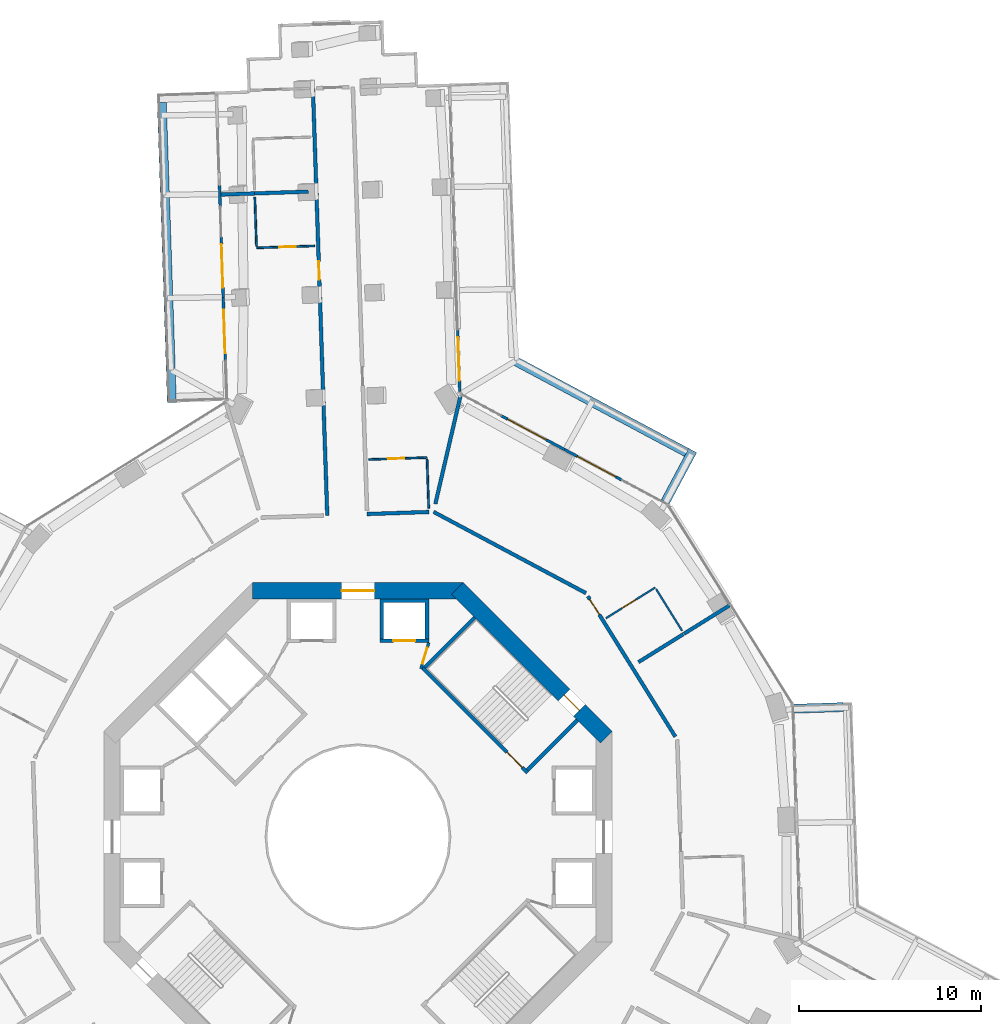
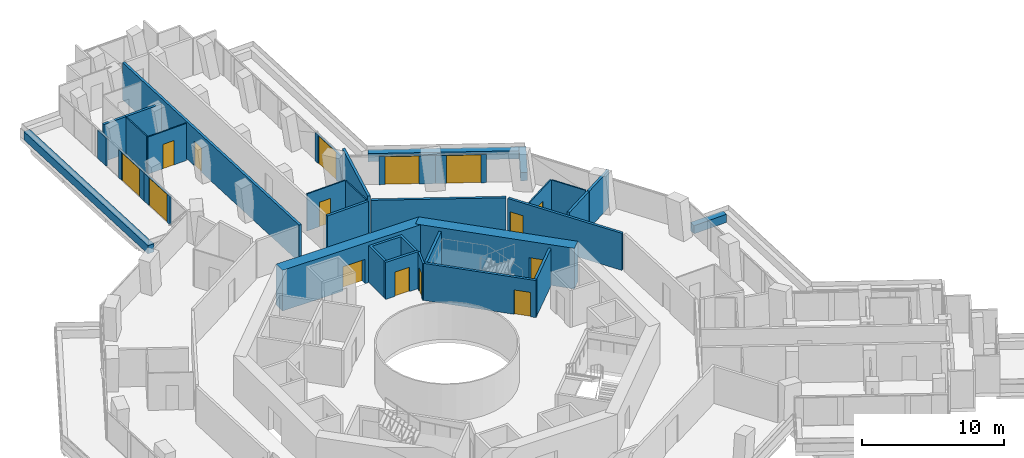
# One storey, part 22 of 27: 33 walls, 15 doors, 15 openings.
"""IFC4 building model written with IfcOpenShell, lengths in metres."""

import ifcopenshell
import ifcopenshell.guid

model = None  # the IFC model being written
_history = None  # IfcOwnerHistory: only IFC2X3 demands one
_inside = {}  # id of a spatial element -> (the spatial element, [elements in it])
_under = {}  # id of a project, library or spatial element -> (it, [spatial elements below it])
_declared = {}  # id of a project -> (the project, [libraries it declares])
_typed = {}  # id of a type object -> (the type object, [elements of that type])
_made_of = {}  # id of a material, layer set ... -> (it, [elements and type objects made of it])


def new_model(schema):
    """Start an empty IFC model of exactly this schema.

    Asked for "IFC4X3", IfcOpenShell would pick the latest addendum, in which some entities
    have other attributes; the version numbers below select the first issue.
    IFC2X3 requires an IfcOwnerHistory on every rooted entity: one is made here for all.
    """
    global model, _history
    if schema == "IFC4X3":
        model = ifcopenshell.file(schema_version=(4, 3, 0, 0))
    else:
        model = ifcopenshell.file(schema=schema)
    _inside.clear()
    _under.clear()
    _declared.clear()
    _typed.clear()
    _made_of.clear()
    _history = None
    if model.schema == "IFC2X3":
        org = make("IfcOrganization", Name="unknown")
        user = make(
            "IfcPersonAndOrganization",
            ThePerson=make("IfcPerson", FamilyName="unknown"),
            TheOrganization=org,
        )
        app = make(
            "IfcApplication",
            ApplicationDeveloper=org,
            Version="unknown",
            ApplicationFullName="unknown",
            ApplicationIdentifier="unknown",
        )
        _history = make(
            "IfcOwnerHistory",
            OwningUser=user,
            OwningApplication=app,
            ChangeAction="ADDED",
            CreationDate=0,
        )
    return model


def make(cls, **values):
    """One entity of the class cls with the attributes given. An attribute that is None is left unset."""
    return model.create_entity(
        cls, **{name: value for name, value in values.items() if value is not None}
    )


def rooted(cls, **values):
    """An entity with a GlobalId (a new one), such as an element, a storey or a relation."""
    return make(cls, GlobalId=ifcopenshell.guid.new(), OwnerHistory=_history, **values)


def si_unit(unit_type, name, prefix=None):
    """IfcSIUnit, for example si_unit("LENGTHUNIT", "METRE", prefix="MILLI")."""
    return make("IfcSIUnit", UnitType=unit_type, Prefix=prefix, Name=name)


def assignment(units):
    """IfcUnitAssignment: the units of a project."""
    return None if units is None else make("IfcUnitAssignment", Units=units)


def point(xyz):
    """IfcCartesianPoint."""
    return None if xyz is None else make("IfcCartesianPoint", Coordinates=xyz)


def direction(xyz):
    """IfcDirection."""
    return None if xyz is None else make("IfcDirection", DirectionRatios=xyz)


def frame(location, z_axis=None, x_axis=None):
    """IfcAxis2Placement3D, a coordinate frame: its origin and axes. An axis left out is left unset."""
    return make(
        "IfcAxis2Placement3D",
        Location=point(location),
        Axis=direction(z_axis),
        RefDirection=direction(x_axis),
    )


def frame_2d(location, x_axis=None):
    """IfcAxis2Placement2D, a coordinate frame in the plane: its origin and x axis."""
    return make(
        "IfcAxis2Placement2D", Location=point(location), RefDirection=direction(x_axis)
    )


def origin():
    """The frame at (0, 0, 0) with its axes left unset."""
    return frame((0.0, 0.0, 0.0))


def place(relative_to, where):
    """IfcLocalPlacement: puts the frame where relative to a parent placement (None: the world)."""
    return make(
        "IfcLocalPlacement", PlacementRelTo=relative_to, RelativePlacement=where
    )


def context(
    kind, dimensions, precision=None, world=None, true_north=None, identifier=None
):
    """IfcGeometricRepresentationContext, for example the 3D "Model" context."""
    return make(
        "IfcGeometricRepresentationContext",
        ContextIdentifier=identifier,
        ContextType=kind,
        CoordinateSpaceDimension=dimensions,
        Precision=precision,
        WorldCoordinateSystem=world,
        TrueNorth=true_north,
    )


def subcontext(parent, identifier, kind, view, scale=None):
    """IfcGeometricRepresentationSubContext, for example "Body" below "Model"."""
    return make(
        "IfcGeometricRepresentationSubContext",
        ContextIdentifier=identifier,
        ContextType=kind,
        ParentContext=parent,
        TargetScale=scale,
        TargetView=view,
    )


def project(units=None, contexts=None):
    """IfcProject with its units and contexts."""
    return rooted(
        "IfcProject",
        Name="project",
        RepresentationContexts=contexts,
        UnitsInContext=assignment(units),
    )


def spatial(cls, under=None, at=None, **own):
    """A site, building, storey or space (cls), placed at a placement, below another one or the project."""
    s = rooted(cls, ObjectPlacement=at, **own)
    if under is not None:
        _under.setdefault(under.id(), (under, []))[1].append(s)
    return s


def polyline(points):
    """IfcPolyline through the points."""
    return make("IfcPolyline", Points=[point(p) for p in points])


def profile(cls, at=None, kind="AREA", **sizes):
    """A parametric profile (cls). Its sizes go by their IFC names, for example OverallWidth=200.0."""
    return make(cls, ProfileType=kind, Position=at, **sizes)


def rectangle(**sizes):
    """IfcRectangleProfileDef."""
    return profile("IfcRectangleProfileDef", **sizes)


def outline(outer, holes=None, kind="AREA"):
    """IfcArbitraryClosedProfileDef: a profile drawn as a closed curve; with holes, ...WithVoids."""
    if holes is None:
        return make("IfcArbitraryClosedProfileDef", ProfileType=kind, OuterCurve=outer)
    return make(
        "IfcArbitraryProfileDefWithVoids",
        ProfileType=kind,
        OuterCurve=outer,
        InnerCurves=holes,
    )


def extrude(swept, where, along, depth):
    """IfcExtrudedAreaSolid: the profile swept, set in the frame where, extruded along a direction by depth."""
    return make(
        "IfcExtrudedAreaSolid",
        SweptArea=swept,
        Position=where,
        ExtrudedDirection=direction(along),
        Depth=depth,
    )


def shape(context_of_items, identifier, shape_type, items):
    """IfcShapeRepresentation: the items that make up one representation, for example the "Body"."""
    return make(
        "IfcShapeRepresentation",
        ContextOfItems=context_of_items,
        RepresentationIdentifier=identifier,
        RepresentationType=shape_type,
        Items=items,
    )


def material(Name=None, Category=None):
    """IfcMaterial."""
    return make("IfcMaterial", Name=Name, Category=Category)


def layer(
    of_material, thickness, ventilated=None, Name=None, Category=None, Priority=None
):
    """IfcMaterialLayer: one layer of a wall or slab, of a material (None: an air gap)."""
    return make(
        "IfcMaterialLayer",
        Material=of_material,
        LayerThickness=thickness,
        IsVentilated=ventilated,
        Name=Name,
        Category=Category,
        Priority=Priority,
    )


def layer_set(layers, Name=None):
    """IfcMaterialLayerSet."""
    return make("IfcMaterialLayerSet", MaterialLayers=layers, LayerSetName=Name)


def made_of(thing, what):
    """Note that an element or type object is made of a material, layer set ...; save() writes the relation."""
    if what is not None:
        _made_of.setdefault(what.id(), (what, []))[1].append(thing)
    return thing


def type_object(cls, material=None, **own):
    """A type object (cls), such as IfcWallType, which elements share."""
    return made_of(rooted(cls, **own), material)


def element(
    cls,
    number,
    at=None,
    inside=None,
    cuts=None,
    type_object=None,
    material=None,
    context=None,
    identifier="Body",
    shape_type=None,
    held_by="IfcProductDefinitionShape",
    body=None,
    shapes=None,
    **own,
):
    """One element of the class cls, such as IfcWall. Its Tag is "e" and its number.

    at: its placement. inside: the storey or other place that contains it. cuts: it is an
    opening in that element (IfcRelVoidsElement). A single representation is given by context,
    identifier, shape_type and body (its items); several are given by shapes. held_by: the class
    of the entity that holds the representations. save() writes the other relations.
    """
    e = rooted(cls, Tag="e%d" % number, ObjectPlacement=at, **own)
    if body is not None:
        shapes = [shape(context, identifier, shape_type, body)]
    if shapes is not None:
        e.Representation = make(held_by, Representations=shapes)
    if inside is not None:
        _inside.setdefault(inside.id(), (inside, []))[1].append(e)
    if cuts is not None:
        rooted(
            "IfcRelVoidsElement", RelatingBuildingElement=cuts, RelatedOpeningElement=e
        )
    if type_object is not None:
        _typed.setdefault(type_object.id(), (type_object, []))[1].append(e)
    return made_of(e, material)


def fill(opening, filler):
    """IfcRelFillsElement: the door or window that sits in an opening."""
    return rooted(
        "IfcRelFillsElement",
        RelatingOpeningElement=opening,
        RelatedBuildingElement=filler,
    )


def aggregate(whole, parts):
    """IfcRelAggregates: a whole, such as a stair, and the parts it consists of."""
    return rooted("IfcRelAggregates", RelatingObject=whole, RelatedObjects=parts)


def save(model, path):
    """Write the relations noted so far, then the file.

    IfcRelAggregates (storeys below a building ...), IfcRelContainedInSpatialStructure (elements
    in a storey), IfcRelDefinesByType, IfcRelAssociatesMaterial and IfcRelDeclares: one each for
    every whole, place, type object, material and project.
    """
    for whole, parts in _under.values():
        aggregate(whole, parts)
    for where, things in _inside.values():
        rooted(
            "IfcRelContainedInSpatialStructure",
            RelatedElements=things,
            RelatingStructure=where,
        )
    for kind, things in _typed.values():
        rooted("IfcRelDefinesByType", RelatedObjects=things, RelatingType=kind)
    for what, things in _made_of.values():
        rooted("IfcRelAssociatesMaterial", RelatedObjects=things, RelatingMaterial=what)
    for by, libraries in _declared.values():
        rooted("IfcRelDeclares", RelatingContext=by, RelatedDefinitions=libraries)
    model.write(path)


model = new_model("IFC4")

# Units and contexts
model_context = context("Model", 3, precision=1e-05, world=origin(), true_north=direction((0.0, 1.0)))
body_context = subcontext(model_context, "Body", "Model", "MODEL_VIEW")
ifc_project = project(units=[si_unit("LENGTHUNIT", "METRE"), si_unit("AREAUNIT", "SQUARE_METRE"), si_unit("VOLUMEUNIT", "CUBIC_METRE"), si_unit("PLANEANGLEUNIT", "RADIAN"), si_unit("MASSUNIT", "GRAM", prefix="KILO")], contexts=[model_context])

# Site, building, storey
site_placement = place(None, origin())
site = spatial("IfcSite", under=ifc_project, at=site_placement, CompositionType="ELEMENT")
building_placement = place(site_placement, origin())
building = spatial("IfcBuilding", under=site, at=building_placement, Name="Verdalira Terraces Hotel", CompositionType="ELEMENT")
storey_placement = place(building_placement, frame((0.0, 0.0, 42.5)))
storey = spatial("IfcBuildingStorey", under=building, at=storey_placement, Name="L08", CompositionType="ELEMENT", Elevation=42.5)

# Walls
ifc_material_1 = material(Name="Concrete C40", Category="concrete")
ifc_layer_1 = layer(ifc_material_1, 0.5)
ifc_layer_set_1 = layer_set([ifc_layer_1], Name="Balcony planter trough with tree")
wall_type_1 = type_object("IfcWallType", Name="Balcony planter trough with tree", PredefinedType="SOLIDWALL", material=ifc_layer_set_1)
wall_1_placement = place(storey_placement, frame((-10.811768, 40.46167, 0.0), z_axis=(0.0, 0.0, 1.0), x_axis=(0.033500574, -0.999438698, 0.0)))
element("IfcWall", 1, at=wall_1_placement, inside=storey, type_object=wall_type_1, Name="Balcony planter", PredefinedType="SOLIDWALL", context=body_context, shape_type="SweptSolid", body=[
    extrude(rectangle(XDim=16.542969, YDim=0.5, at=frame_2d((8.271484, 0.0))), origin(), (0.0, 0.0, 1.0), 0.699951),
])
wall_2_placement = place(storey_placement, frame((26.733887, 7.149658, 0.0), z_axis=(0.0, 0.0, 1.0), x_axis=(-0.999439775, -0.033468433, 0.0)))
element("IfcWall", 2, at=wall_2_placement, inside=storey, type_object=wall_type_1, Name="Balcony planter", PredefinedType="SOLIDWALL", context=body_context, shape_type="SweptSolid", body=[
    extrude(rectangle(XDim=2.698975, YDim=0.5, at=frame_2d((1.349609, 0.0))), origin(), (0.0, 0.0, 1.0), 0.699951),
])
wall_3_placement = place(storey_placement, frame((16.93335, 18.461914, 0.0), z_axis=(0.0, 0.0, 1.0), x_axis=(0.470655574, 0.882317024, 0.0)))
element("IfcWall", 3, at=wall_3_placement, inside=storey, type_object=wall_type_1, Name="Balcony planter", PredefinedType="SOLIDWALL", context=body_context, shape_type="SweptSolid", body=[
    extrude(rectangle(XDim=3.198975, YDim=0.5, at=frame_2d((1.599609, 0.0))), origin(), (0.0, 0.0, 1.0), 0.699951),
])
wall_4_placement = place(storey_placement, frame((18.10083, 21.181396, 0.0), z_axis=(0.0, 0.0, 1.0), x_axis=(-0.882293298, 0.470700048, 0.0)))
element("IfcWall", 4, at=wall_4_placement, inside=storey, type_object=wall_type_1, Name="Balcony planter", PredefinedType="SOLIDWALL", context=body_context, shape_type="SweptSolid", body=[
    extrude(rectangle(XDim=10.652588, YDim=0.5, at=frame_2d((5.326172, 0.0))), origin(), (0.0, 0.0, 1.0), 0.699951),
])
ifc_material_2 = material(Name="Moisture-resistant gypsum board partition")
ifc_layer_2 = layer(ifc_material_2, 0.10009765625)
ifc_layer_set_2 = layer_set([ifc_layer_2], Name="Bathroom partition 100 mm")
wall_type_2 = type_object("IfcWallType", Name="Bathroom partition 100 mm", PredefinedType="PARTITIONING", material=ifc_layer_set_2)
wall_5_placement = place(storey_placement, frame((-5.59375, 32.551025, 0.0), z_axis=(0.0, 0.0, 1.0), x_axis=(-0.033456335, 0.99944018, 0.0)))
element("IfcWall", 5, at=wall_5_placement, inside=storey, type_object=wall_type_2, Name="Bathroom partition", PredefinedType="PARTITIONING", context=body_context, shape_type="SweptSolid", body=[
    extrude(rectangle(XDim=2.699951, YDim=0.100098, at=frame_2d((1.350098, 0.0))), origin(), (0.0, 0.0, 1.0), 3.189941),
])

# Wall, opening, door
wall_6_placement = place(storey_placement, frame((-5.590332, 32.451172, 0.0), z_axis=(0.0, 0.0, 1.0), x_axis=(0.999438964, 0.033492649, 0.0)))
wall_6 = element("IfcWall", 6, at=wall_6_placement, inside=storey, type_object=wall_type_2, Name="Bathroom partition", PredefinedType="PARTITIONING", context=body_context, shape_type="SweptSolid", body=[
    extrude(rectangle(XDim=3.199951, YDim=0.100098, at=frame_2d((1.600098, 0.0))), origin(), (0.0, 0.0, 1.0), 3.189941),
])
opening_1_placement = place(wall_6_placement, frame((1.25, 0.0, 0.0)))
opening_1 = element("IfcOpeningElement", 7, at=opening_1_placement, cuts=wall_6, Name="Opening L08-107", PredefinedType="OPENING", context=body_context, shape_type="SweptSolid", body=[
    extrude(rectangle(XDim=0.899902, YDim=2.100098, at=frame_2d((0.449951, 1.050049))), frame((0.0, 0.060059, 0.0), z_axis=(0.0, -1.0, 0.0), x_axis=(1.0, 0.0, 0.0)), (0.0, 0.0, 1.0), 0.120117),
])
ifc_material_3 = material(Name="Timber door", Category="wood")
door_type_1 = type_object("IfcDoorType", Name="Bathroom door 900 x 2100", OperationType="NOTDEFINED", PredefinedType="DOOR", material=ifc_material_3)
door_1_placement = place(opening_1_placement, origin())
door_1 = element("IfcDoor", 8, at=door_1_placement, inside=storey, type_object=door_type_1, Name="Bathroom door 0803", OperationType="SINGLE_SWING_LEFT", OverallHeight=2.10009765625, OverallWidth=0.89990234375, PredefinedType="DOOR", context=body_context, shape_type="SweptSolid", body=[
    extrude(rectangle(XDim=0.899902, YDim=2.100098, at=frame_2d((0.449951, 1.050049))), frame((0.0, 0.024902, 0.0), z_axis=(0.0, -1.0, 0.0), x_axis=(1.0, 0.0, 0.0)), (0.0, 0.0, 1.0), 0.050049),
])
fill(opening_1, door_1)

wall_7_placement = place(storey_placement, frame((3.802002, 20.897461, 0.0), z_axis=(0.0, 0.0, 1.0), x_axis=(-0.999438964, -0.033492649, 0.0)))
wall_7 = element("IfcWall", 9, at=wall_7_placement, inside=storey, type_object=wall_type_2, Name="Bathroom partition", PredefinedType="PARTITIONING", context=body_context, shape_type="SweptSolid", body=[
    extrude(rectangle(XDim=3.199951, YDim=0.100098, at=frame_2d((1.600098, 0.0))), origin(), (0.0, 0.0, 1.0), 3.189941),
])
opening_2_placement = place(wall_7_placement, frame((1.25, 0.0, 0.0)))
opening_2 = element("IfcOpeningElement", 10, at=opening_2_placement, cuts=wall_7, Name="Opening L08-102", PredefinedType="OPENING", context=body_context, shape_type="SweptSolid", body=[
    extrude(rectangle(XDim=0.899902, YDim=2.100098, at=frame_2d((0.449951, 1.050049))), frame((0.0, 0.060059, 0.0), z_axis=(0.0, -1.0, 0.0), x_axis=(1.0, 0.0, 0.0)), (0.0, 0.0, 1.0), 0.120117),
])
door_2_placement = place(opening_2_placement, origin())
door_2 = element("IfcDoor", 11, at=door_2_placement, inside=storey, type_object=door_type_1, Name="Bathroom door 0801", OperationType="SINGLE_SWING_LEFT", OverallHeight=2.10009765625, OverallWidth=0.89990234375, PredefinedType="DOOR", context=body_context, shape_type="SweptSolid", body=[
    extrude(rectangle(XDim=0.899902, YDim=2.100098, at=frame_2d((0.449951, 1.050049))), frame((0.0, 0.024902, 0.0), z_axis=(0.0, -1.0, 0.0), x_axis=(1.0, 0.0, 0.0)), (0.0, 0.0, 1.0), 0.050049),
])
fill(opening_2, door_2)

# Wall
wall_8_placement = place(storey_placement, frame((3.80542, 20.797607, 0.0), z_axis=(0.0, 0.0, 1.0), x_axis=(0.033456335, -0.99944018, 0.0)))
element("IfcWall", 12, at=wall_8_placement, inside=storey, type_object=wall_type_2, Name="Bathroom partition", PredefinedType="PARTITIONING", context=body_context, shape_type="SweptSolid", body=[
    extrude(rectangle(XDim=2.699951, YDim=0.100098, at=frame_2d((1.350098, 0.0))), origin(), (0.0, 0.0, 1.0), 3.189941),
])

# Wall, opening, door
wall_9_placement = place(storey_placement, frame((16.372803, 13.733398, 0.0), z_axis=(0.0, 0.0, 1.0), x_axis=(-0.848811643, -0.52869537, 0.0)))
wall_9 = element("IfcWall", 13, at=wall_9_placement, inside=storey, type_object=wall_type_2, Name="Bathroom partition", PredefinedType="PARTITIONING", context=body_context, shape_type="SweptSolid", body=[
    extrude(rectangle(XDim=3.200195, YDim=0.100098, at=frame_2d((1.600098, 0.0))), origin(), (0.0, 0.0, 1.0), 3.189941),
])
opening_3_placement = place(wall_9_placement, frame((1.25, 0.0, 0.0)))
opening_3 = element("IfcOpeningElement", 14, at=opening_3_placement, cuts=wall_9, Name="Opening L08-132", PredefinedType="OPENING", context=body_context, shape_type="SweptSolid", body=[
    extrude(rectangle(XDim=0.899902, YDim=2.100098, at=frame_2d((0.449951, 1.050049))), frame((0.0, 0.060059, 0.0), z_axis=(0.0, -1.0, 0.0), x_axis=(1.0, 0.0, 0.0)), (0.0, 0.0, 1.0), 0.120117),
])
door_3_placement = place(opening_3_placement, origin())
door_3 = element("IfcDoor", 15, at=door_3_placement, inside=storey, type_object=door_type_1, Name="Bathroom door 0815", OperationType="SINGLE_SWING_LEFT", OverallHeight=2.10009765625, OverallWidth=0.89990234375, PredefinedType="DOOR", context=body_context, shape_type="SweptSolid", body=[
    extrude(rectangle(XDim=0.899902, YDim=2.100098, at=frame_2d((0.449951, 1.050049))), frame((0.0, 0.024902, 0.0), z_axis=(0.0, -1.0, 0.0), x_axis=(1.0, 0.0, 0.0)), (0.0, 0.0, 1.0), 0.050049),
])
fill(opening_3, door_3)

# Walls
wall_10_placement = place(storey_placement, frame((16.425537, 13.648682, 0.0), z_axis=(0.0, 0.0, 1.0), x_axis=(0.528771123, -0.848764455, 0.0)))
element("IfcWall", 16, at=wall_10_placement, inside=storey, type_object=wall_type_2, Name="Bathroom partition", PredefinedType="PARTITIONING", context=body_context, shape_type="SweptSolid", body=[
    extrude(rectangle(XDim=2.700195, YDim=0.100098, at=frame_2d((1.350098, 0.0))), origin(), (0.0, 0.0, 1.0), 3.189941),
])
ifc_material_4 = material(Name="Concrete C50", Category="concrete")
ifc_layer_3 = layer(ifc_material_4, 0.199951171875)
ifc_layer_set_3 = layer_set([ifc_layer_3], Name="Core RC wall 200 C50")
wall_type_3 = type_object("IfcWallType", Name="Core RC wall 200 C50", PredefinedType="SOLIDWALL", material=ifc_layer_set_3)
wall_11_placement = place(storey_placement, origin())
element("IfcWall", 17, at=wall_11_placement, inside=storey, type_object=wall_type_3, Name="L08 shaft wall N1", PredefinedType="SOLIDWALL", context=body_context, shape_type="SweptSolid", body=[
    extrude(outline(polyline([(3.899902, 13.100098), (3.899902, 10.899902), (3.699951, 10.899902), (3.699951, 12.899902), (1.399902, 12.899902), (1.399902, 10.899902), (1.199951, 10.899902), (1.199951, 13.100098), (3.899902, 13.100098)])), origin(), (0.0, 0.0, 1.0), 3.189941),
])

# Wall, opening, door
wall_12_placement = place(storey_placement, frame((1.199951, 10.800049, 0.0), z_axis=(0.0, 0.0, 1.0), x_axis=(1.0, 0.0, 0.0)))
wall_12 = element("IfcWall", 18, at=wall_12_placement, inside=storey, type_object=wall_type_3, Name="L08 shaft front wall N1", PredefinedType="SOLIDWALL", context=body_context, shape_type="SweptSolid", body=[
    extrude(rectangle(XDim=2.699951, YDim=0.199951, at=frame_2d((1.350098, 0.0))), origin(), (0.0, 0.0, 1.0), 3.189941),
])
opening_4_placement = place(wall_12_placement, frame((0.75, 0.0, 0.0)))
opening_4 = element("IfcOpeningElement", 19, at=opening_4_placement, cuts=wall_12, Name="Opening LD-L08-803", PredefinedType="OPENING", context=body_context, shape_type="SweptSolid", body=[
    extrude(rectangle(XDim=1.199951, YDim=2.100098, at=frame_2d((0.600098, 1.050049))), frame((0.0, 0.109863, 0.0), z_axis=(0.0, -1.0, 0.0), x_axis=(1.0, 0.0, 0.0)), (0.0, 0.0, 1.0), 0.219971),
])
ifc_material_5 = material(Name="Stainless steel", Category="steel")
door_type_2 = type_object("IfcDoorType", Name="Landing door 1200 x 2100", OperationType="NOTDEFINED", PredefinedType="DOOR", material=ifc_material_5)
door_4_placement = place(opening_4_placement, origin())
door_4 = element("IfcDoor", 20, at=door_4_placement, inside=storey, type_object=door_type_2, Name="Lift landing door LR3 L08", OperationType="DOUBLE_DOOR_SLIDING", OverallHeight=2.10009765625, OverallWidth=1.199951171875, PredefinedType="DOOR", context=body_context, shape_type="SweptSolid", body=[
    extrude(rectangle(XDim=1.199951, YDim=2.100098, at=frame_2d((0.600098, 1.050049))), frame((0.0, 0.024902, 0.0), z_axis=(0.0, -1.0, 0.0), x_axis=(1.0, 0.0, 0.0)), (0.0, 0.0, 1.0), 0.050049),
])
fill(opening_4, door_4)

wall_13_placement = place(storey_placement, frame((3.5354, 9.33374, 0.0), z_axis=(0.0, 0.0, 1.0), x_axis=(0.707106781, -0.707106781, 0.0)))
wall_13 = element("IfcWall", 21, at=wall_13_placement, inside=storey, type_object=wall_type_3, Name="L08 stair ST1 front wall", PredefinedType="SOLIDWALL", context=body_context, shape_type="SweptSolid", body=[
    extrude(rectangle(XDim=8.200195, YDim=0.199951, at=frame_2d((4.100098, 0.0))), origin(), (0.0, 0.0, 1.0), 3.189941),
])
opening_5_placement = place(wall_13_placement, frame((6.600098, 0.0, 0.0)))
opening_5 = element("IfcOpeningElement", 22, at=opening_5_placement, cuts=wall_13, Name="Opening L08-809", PredefinedType="OPENING", context=body_context, shape_type="SweptSolid", body=[
    extrude(rectangle(XDim=1.199951, YDim=2.100098, at=frame_2d((0.600098, 1.050049))), frame((0.0, 0.109863, 0.0), z_axis=(0.0, -1.0, 0.0), x_axis=(1.0, 0.0, 0.0)), (0.0, 0.0, 1.0), 0.219971),
])
ifc_material_6 = material(Name="Steel fire door", Category="steel")
door_type_3 = type_object("IfcDoorType", Name="Stair door 1200 x 2100", OperationType="NOTDEFINED", PredefinedType="DOOR", material=ifc_material_6)
door_5_placement = place(opening_5_placement, origin())
door_5 = element("IfcDoor", 23, at=door_5_placement, inside=storey, type_object=door_type_3, Name="Stair door ST1 L08", OperationType="SINGLE_SWING_RIGHT", OverallHeight=2.10009765625, OverallWidth=1.199951171875, PredefinedType="DOOR", context=body_context, shape_type="SweptSolid", body=[
    extrude(rectangle(XDim=1.199951, YDim=2.100098, at=frame_2d((0.600098, 1.050049))), frame((0.0, 0.024902, 0.0), z_axis=(0.0, -1.0, 0.0), x_axis=(1.0, 0.0, 0.0)), (0.0, 0.0, 1.0), 0.050049),
])
fill(opening_5, door_5)

# Walls
for number, where, z_axis, x_axis, name in (
    (24, (9.33374, 3.677002, 0.0), (0.0, 0.0, 1.0), (0.707106781, 0.707106781, 0.0), "L08 stair ST1 end wall 1"),
    (25, (3.677002, 9.33374, 0.0), (0.0, 0.0, 1.0), (0.707106781, 0.707106781, 0.0), "L08 stair ST1 end wall 2"),
):
    element("IfcWall", number, at=place(storey_placement, frame(where, z_axis=z_axis, x_axis=x_axis)), inside=storey, type_object=wall_type_3, Name=name, PredefinedType="SOLIDWALL", context=body_context, shape_type="SweptSolid", body=[
        extrude(rectangle(XDim=3.900146, YDim=0.199951, at=frame_2d((1.950195, 0.0))), origin(), (0.0, 0.0, 1.0), 3.189941),
    ])

# Wall, opening, door
ifc_material_7 = material(Name="Gypsum board partition")
ifc_layer_4 = layer(ifc_material_7, 0.14990234375)
ifc_layer_set_4 = layer_set([ifc_layer_4], Name="Core partition 150 mm")
wall_type_4 = type_object("IfcWallType", Name="Core partition 150 mm", PredefinedType="PARTITIONING", material=ifc_layer_set_4)
wall_14_placement = place(storey_placement, frame((3.464844, 9.263184, 0.0), z_axis=(0.0, 0.0, 1.0), x_axis=(0.289808785, 0.957084567, 0.0)))
wall_14 = element("IfcWall", 26, at=wall_14_placement, inside=storey, type_object=wall_type_4, Name="Room partition L08", PredefinedType="PARTITIONING", context=body_context, shape_type="SweptSolid", body=[
    extrude(rectangle(XDim=1.501221, YDim=0.149902, at=frame_2d((0.750488, 0.0))), origin(), (0.0, 0.0, 1.0), 3.189941),
])
opening_6_placement = place(wall_14_placement, frame((0.300781, 0.0, 0.0)))
opening_6 = element("IfcOpeningElement", 27, at=opening_6_placement, cuts=wall_14, Name="Opening L08-820", PredefinedType="OPENING", context=body_context, shape_type="SweptSolid", body=[
    extrude(rectangle(XDim=0.899902, YDim=2.100098, at=frame_2d((0.449951, 1.050049))), frame((0.0, 0.084961, 0.0), z_axis=(0.0, -1.0, 0.0), x_axis=(1.0, 0.0, 0.0)), (0.0, 0.0, 1.0), 0.169922),
])
ifc_material_8 = material(Name="Steel fire door", Category="steel")
door_type_4 = type_object("IfcDoorType", Name="Core room door 900 x 2100", OperationType="NOTDEFINED", PredefinedType="DOOR", material=ifc_material_8)
door_6_placement = place(opening_6_placement, origin())
door_6 = element("IfcDoor", 28, at=door_6_placement, inside=storey, type_object=door_type_4, Name="Door L08 room1", OperationType="SINGLE_SWING_LEFT", OverallHeight=2.10009765625, OverallWidth=0.89990234375, PredefinedType="DOOR", context=body_context, shape_type="SweptSolid", body=[
    extrude(rectangle(XDim=0.899902, YDim=2.100098, at=frame_2d((0.449951, 1.050049))), frame((0.0, 0.024902, 0.0), z_axis=(0.0, -1.0, 0.0), x_axis=(1.0, 0.0, 0.0)), (0.0, 0.0, 1.0), 0.050049),
])
fill(opening_6, door_6)

ifc_material_9 = material(Name="Concrete C70", Category="concrete")
ifc_layer_5 = layer(ifc_material_9, 0.89990234375)
ifc_layer_set_5 = layer_set([ifc_layer_5], Name="Core wall 900 C70")
wall_type_5 = type_object("IfcWallType", Name="Core wall 900 C70", PredefinedType="SHEAR", material=ifc_layer_set_5)
wall_15_placement = place(storey_placement, frame((13.681885, 5.480713, 0.0), z_axis=(0.0, 0.0, 1.0), x_axis=(-0.707106781, 0.707106781, 0.0)))
wall_15 = element("IfcWall", 29, at=wall_15_placement, inside=storey, type_object=wall_type_5, Name="Core wall CW-L08-2", PredefinedType="SHEAR", context=body_context, shape_type="SweptSolid", body=[
    extrude(rectangle(XDim=11.598145, YDim=0.899902, at=frame_2d((5.799072, 0.0))), origin(), (0.0, 0.0, 1.0), 3.5),
])
opening_7_placement = place(wall_15_placement, frame((2.099121, 0.0, 0.0)))
opening_7 = element("IfcOpeningElement", 30, at=opening_7_placement, cuts=wall_15, Name="Opening L08-816", PredefinedType="OPENING", context=body_context, shape_type="SweptSolid", body=[
    extrude(rectangle(XDim=1.199951, YDim=2.100098, at=frame_2d((0.600098, 1.050049))), frame((0.0, 0.459961, 0.0), z_axis=(0.0, -1.0, 0.0), x_axis=(1.0, 0.0, 0.0)), (0.0, 0.0, 1.0), 0.919922),
])
door_7_placement = place(opening_7_placement, origin())
door_7 = element("IfcDoor", 31, at=door_7_placement, inside=storey, type_object=door_type_3, Name="Stair exit door ST1 L08", OperationType="SINGLE_SWING_LEFT", OverallHeight=2.10009765625, OverallWidth=1.199951171875, PredefinedType="DOOR", context=body_context, shape_type="SweptSolid", body=[
    extrude(rectangle(XDim=1.199951, YDim=2.100098, at=frame_2d((0.600098, 1.050049))), frame((0.0, 0.024902, 0.0), z_axis=(0.0, -1.0, 0.0), x_axis=(1.0, 0.0, 0.0)), (0.0, 0.0, 1.0), 0.050049),
])
fill(opening_7, door_7)

wall_16_placement = place(storey_placement, frame((5.799072, 13.550049, 0.0), z_axis=(0.0, 0.0, 1.0), x_axis=(-1.0, 0.0, 0.0)))
wall_16 = element("IfcWall", 32, at=wall_16_placement, inside=storey, type_object=wall_type_5, Name="Core wall CW-L08-3", PredefinedType="SHEAR", context=body_context, shape_type="SweptSolid", body=[
    extrude(rectangle(XDim=11.598145, YDim=0.899902, at=frame_2d((5.799072, 0.0))), origin(), (0.0, 0.0, 1.0), 3.5),
])
opening_8_placement = place(wall_16_placement, frame((4.898926, 0.0, 0.0)))
opening_8 = element("IfcOpeningElement", 33, at=opening_8_placement, cuts=wall_16, Name="Opening L08-813", PredefinedType="OPENING", context=body_context, shape_type="SweptSolid", body=[
    extrude(rectangle(XDim=1.800049, YDim=2.100098, at=frame_2d((0.899902, 1.050049))), frame((0.0, 0.459961, 0.0), z_axis=(0.0, -1.0, 0.0), x_axis=(1.0, 0.0, 0.0)), (0.0, 0.0, 1.0), 0.919922),
])
ifc_material_10 = material(Name="Steel fire door", Category="steel")
door_type_5 = type_object("IfcDoorType", Name="Core entry door pair 1800 x 2100", OperationType="NOTDEFINED", PredefinedType="DOOR", material=ifc_material_10)
door_8_placement = place(opening_8_placement, origin())
door_8 = element("IfcDoor", 34, at=door_8_placement, inside=storey, type_object=door_type_5, Name="Core entry door L08 2", OperationType="DOUBLE_DOOR_SINGLE_SWING", OverallHeight=2.10009765625, OverallWidth=1.800048828125, PredefinedType="DOOR", context=body_context, shape_type="SweptSolid", body=[
    extrude(rectangle(XDim=1.800049, YDim=2.100098, at=frame_2d((0.899902, 1.050049))), frame((0.0, 0.024902, 0.0), z_axis=(0.0, -1.0, 0.0), x_axis=(1.0, 0.0, 0.0)), (0.0, 0.0, 1.0), 0.050049),
])
fill(opening_8, door_8)

# Walls
ifc_material_11 = material(Name="Fire-rated gypsum board wall")
ifc_layer_6 = layer(ifc_material_11, 0.199951171875)
ifc_layer_set_6 = layer_set([ifc_layer_6], Name="Demising wall 200 mm")
wall_type_6 = type_object("IfcWallType", Name="Demising wall 200 mm", PredefinedType="SOLIDWALL", material=ifc_layer_set_6)
wall_17_placement = place(storey_placement, frame((-5.690918, 35.449463, 0.0), z_axis=(0.0, 0.0, 1.0), x_axis=(-0.999438001, -0.033521359, 0.0)))
element("IfcWall", 35, at=wall_17_placement, inside=storey, type_object=wall_type_6, Name="Demising wall", PredefinedType="SOLIDWALL", context=body_context, shape_type="SweptSolid", body=[
    extrude(rectangle(XDim=1.849854, YDim=0.199951, at=frame_2d((0.924805, 0.0))), origin(), (0.0, 0.0, 1.0), 3.189941),
])
wall_18_placement = place(storey_placement, frame((-2.739746, 35.54834, 0.0), z_axis=(0.0, 0.0, 1.0), x_axis=(-0.999439203, -0.033485513, 0.0)))
element("IfcWall", 36, at=wall_18_placement, inside=storey, type_object=wall_type_6, Name="Demising wall", PredefinedType="SOLIDWALL", context=body_context, shape_type="SweptSolid", body=[
    extrude(rectangle(XDim=2.952881, YDim=0.199951, at=frame_2d((1.476562, 0.0))), origin(), (0.0, 0.0, 1.0), 3.189941),
])
wall_19_placement = place(storey_placement, frame((5.649658, 24.316406, 0.0), z_axis=(0.0, 0.0, 1.0), x_axis=(-0.226304429, -0.974056623, 0.0)))
element("IfcWall", 37, at=wall_19_placement, inside=storey, type_object=wall_type_6, Name="Demising wall", PredefinedType="SOLIDWALL", context=body_context, shape_type="SweptSolid", body=[
    extrude(rectangle(XDim=6.13208, YDim=0.199951, at=frame_2d((3.065918, 0.0))), origin(), (0.0, 0.0, 1.0), 3.189941),
])
wall_20_placement = place(storey_placement, frame((15.452637, 9.625977, 0.0), z_axis=(0.0, 0.0, 1.0), x_axis=(0.848785892, 0.528736711, 0.0)))
element("IfcWall", 38, at=wall_20_placement, inside=storey, type_object=wall_type_6, Name="Demising wall", PredefinedType="SOLIDWALL", context=body_context, shape_type="SweptSolid", body=[
    extrude(rectangle(XDim=2.904785, YDim=0.199951, at=frame_2d((1.452393, 0.0))), origin(), (0.0, 0.0, 1.0), 3.189941),
])
wall_21_placement = place(storey_placement, frame((17.957275, 11.186035, 0.0), z_axis=(0.0, 0.0, 1.0), x_axis=(0.848791868, 0.528727118, 0.0)))
element("IfcWall", 39, at=wall_21_placement, inside=storey, type_object=wall_type_6, Name="Demising wall", PredefinedType="SOLIDWALL", context=body_context, shape_type="SweptSolid", body=[
    extrude(rectangle(XDim=2.951904, YDim=0.199951, at=frame_2d((1.476074, 0.0))), origin(), (0.0, 0.0, 1.0), 3.189941),
])

# Wall, opening, door
ifc_material_12 = material(Name="Fire-rated gypsum board wall")
ifc_layer_7 = layer(ifc_material_12, 0.199951171875)
ifc_layer_set_7 = layer_set([ifc_layer_7], Name="Guest corridor wall 200 mm")
wall_type_7 = type_object("IfcWallType", Name="Guest corridor wall 200 mm", PredefinedType="SOLIDWALL", material=ifc_layer_set_7)
wall_22_placement = place(storey_placement, frame((-1.694336, 17.71167, 0.0), z_axis=(0.0, 0.0, 1.0), x_axis=(-0.033505773, 0.999438524, 0.0)))
wall_22 = element("IfcWall", 40, at=wall_22_placement, inside=storey, type_object=wall_type_7, Name="Guest corridor wall", PredefinedType="SOLIDWALL", context=body_context, shape_type="SweptSolid", body=[
    extrude(rectangle(XDim=23.542725, YDim=0.199951, at=frame_2d((11.771484, 0.0))), origin(), (0.0, 0.0, 1.0), 3.189941),
])
opening_9_placement = place(wall_22_placement, frame((13.0, 0.0, 0.0)))
opening_9 = element("IfcOpeningElement", 41, at=opening_9_placement, cuts=wall_22, Name="Opening L08-106", PredefinedType="OPENING", context=body_context, shape_type="SweptSolid", body=[
    extrude(rectangle(XDim=1.0, YDim=2.100098, at=frame_2d((0.5, 1.050049))), frame((0.0, 0.109863, 0.0), z_axis=(0.0, -1.0, 0.0), x_axis=(1.0, 0.0, 0.0)), (0.0, 0.0, 1.0), 0.219971),
])
ifc_material_13 = material(Name="Timber fire door", Category="wood")
door_type_6 = type_object("IfcDoorType", Name="Guest entry door 1000 x 2100", OperationType="NOTDEFINED", PredefinedType="DOOR", material=ifc_material_13)
door_9_placement = place(opening_9_placement, origin())
door_9 = element("IfcDoor", 42, at=door_9_placement, inside=storey, type_object=door_type_6, Name="Guest entry door 0803", OperationType="SINGLE_SWING_LEFT", OverallHeight=2.10009765625, OverallWidth=1.0, PredefinedType="DOOR", context=body_context, shape_type="SweptSolid", body=[
    extrude(rectangle(XDim=1.0, YDim=2.100098, at=frame_2d((0.5, 1.050049))), frame((0.0, 0.024902, 0.0), z_axis=(0.0, -1.0, 0.0), x_axis=(1.0, 0.0, 0.0)), (0.0, 0.0, 1.0), 0.050049),
])
fill(opening_9, door_9)

# Walls
wall_23_placement = place(storey_placement, frame((3.902588, 17.89917, 0.0), z_axis=(0.0, 0.0, 1.0), x_axis=(-0.999437631, -0.033532393, 0.0)))
element("IfcWall", 43, at=wall_23_placement, inside=storey, type_object=wall_type_7, Name="Guest corridor wall", PredefinedType="SOLIDWALL", context=body_context, shape_type="SweptSolid", body=[
    extrude(rectangle(XDim=3.400146, YDim=0.199951, at=frame_2d((1.700195, 0.0))), origin(), (0.0, 0.0, 1.0), 3.189941),
])
wall_24_placement = place(storey_placement, frame((12.556641, 13.428467, 0.0), z_axis=(0.0, 0.0, 1.0), x_axis=(-0.882292568, 0.470701417, 0.0)))
element("IfcWall", 44, at=wall_24_placement, inside=storey, type_object=wall_type_7, Name="Guest corridor wall", PredefinedType="SOLIDWALL", context=body_context, shape_type="SweptSolid", body=[
    extrude(rectangle(XDim=9.516113, YDim=0.199951, at=frame_2d((4.758057, 0.0))), origin(), (0.0, 0.0, 1.0), 3.189941),
])

# Wall, opening, door
wall_25_placement = place(storey_placement, frame((12.663086, 13.258057, 0.0), z_axis=(0.0, 0.0, 1.0), x_axis=(0.528736875, -0.84878579, 0.0)))
wall_25 = element("IfcWall", 45, at=wall_25_placement, inside=storey, type_object=wall_type_7, Name="Guest corridor wall", PredefinedType="SOLIDWALL", context=body_context, shape_type="SweptSolid", body=[
    extrude(rectangle(XDim=9.115723, YDim=0.199951, at=frame_2d((4.557861, 0.0))), origin(), (0.0, 0.0, 1.0), 3.189941),
])
opening_10_placement = place(wall_25_placement, frame((0.199951, 0.0, 0.0)))
opening_10 = element("IfcOpeningElement", 46, at=opening_10_placement, cuts=wall_25, Name="Opening L08-131", PredefinedType="OPENING", context=body_context, shape_type="SweptSolid", body=[
    extrude(rectangle(XDim=1.0, YDim=2.100098, at=frame_2d((0.5, 1.050049))), frame((0.0, 0.109863, 0.0), z_axis=(0.0, -1.0, 0.0), x_axis=(1.0, 0.0, 0.0)), (0.0, 0.0, 1.0), 0.219971),
])
door_10_placement = place(opening_10_placement, origin())
door_10 = element("IfcDoor", 47, at=door_10_placement, inside=storey, type_object=door_type_6, Name="Guest entry door 0815", OperationType="SINGLE_SWING_LEFT", OverallHeight=2.10009765625, OverallWidth=1.0, PredefinedType="DOOR", context=body_context, shape_type="SweptSolid", body=[
    extrude(rectangle(XDim=1.0, YDim=2.100098, at=frame_2d((0.5, 1.050049))), frame((0.0, 0.024902, 0.0), z_axis=(0.0, -1.0, 0.0), x_axis=(1.0, 0.0, 0.0)), (0.0, 0.0, 1.0), 0.050049),
])
fill(opening_10, door_10)

# Wall
ifc_material_14 = material(Name="Terracotta cladding", Category="masonry")
ifc_layer_8 = layer(ifc_material_14, 0.14990234375)
ifc_layer_set_8 = layer_set([ifc_layer_8], Name="Terracotta column pier 150")
wall_type_8 = type_object("IfcWallType", Name="Terracotta column pier 150", PredefinedType="SOLIDWALL", material=ifc_layer_set_8)
wall_26_placement = place(storey_placement, frame((-7.631592, 35.884766, 0.0), z_axis=(0.0, 0.0, 1.0), x_axis=(0.033461983, -0.999439991, 0.0)))
element("IfcWall", 48, at=wall_26_placement, inside=storey, type_object=wall_type_8, Name="Terracotta column pier", PredefinedType="SOLIDWALL", context=body_context, shape_type="SweptSolid", body=[
    extrude(rectangle(XDim=1.160156, YDim=0.149902, at=frame_2d((0.580078, 0.0))), origin(), (0.0, 0.0, 1.0), 2.425049),
])

# Wall, opening, door
ifc_material_15 = material(Name="Terracotta cladding", Category="masonry")
ifc_layer_9 = layer(ifc_material_15, 0.14990234375)
ifc_layer_set_9 = layer_set([ifc_layer_9], Name="Terracotta door pier 150")
wall_type_9 = type_object("IfcWallType", Name="Terracotta door pier 150", PredefinedType="SOLIDWALL", material=ifc_layer_set_9)
wall_27_placement = place(storey_placement, frame((5.606201, 24.530029, 0.0), z_axis=(0.0, 0.0, 1.0), x_axis=(-0.033443869, 0.999440597, 0.0)))
wall_27 = element("IfcWall", 49, at=wall_27_placement, inside=storey, type_object=wall_type_9, Name="Terracotta door pier", PredefinedType="SOLIDWALL", context=body_context, shape_type="SweptSolid", body=[
    extrude(rectangle(XDim=3.401855, YDim=0.149902, at=frame_2d((1.700928, 0.0))), origin(), (0.0, 0.0, 1.0), 2.425049),
])
opening_11_placement = place(wall_27_placement, frame((0.601807, 0.0, 0.0)))
opening_11 = element("IfcOpeningElement", 50, at=opening_11_placement, cuts=wall_27, Name="Opening L08-B01", PredefinedType="OPENING", context=body_context, shape_type="SweptSolid", body=[
    extrude(rectangle(XDim=2.399902, YDim=2.399902, at=frame_2d((1.199951, 1.199951))), frame((0.0, 0.084961, 0.0), z_axis=(0.0, -1.0, 0.0), x_axis=(1.0, 0.0, 0.0)), (0.0, 0.0, 1.0), 0.169922),
])
ifc_material_16 = material(Name="Clear glass", Category="glass")
door_type_7 = type_object("IfcDoorType", Name="Balcony sliding door 2400x2400", OperationType="NOTDEFINED", PredefinedType="DOOR", material=ifc_material_16)
door_11_placement = place(opening_11_placement, origin())
door_11 = element("IfcDoor", 51, at=door_11_placement, inside=storey, type_object=door_type_7, Name="Balcony sliding door", OperationType="SLIDING_TO_LEFT", OverallHeight=2.39990234375, OverallWidth=2.39990234375, PredefinedType="DOOR", context=body_context, shape_type="SweptSolid", body=[
    extrude(rectangle(XDim=2.399902, YDim=2.399902, at=frame_2d((1.199951, 1.199951))), frame((0.0, 0.024902, 0.0), z_axis=(0.0, -1.0, 0.0), x_axis=(1.0, 0.0, 0.0)), (0.0, 0.0, 1.0), 0.050049),
])
fill(opening_11, door_11)

wall_28_placement = place(storey_placement, frame((-7.536621, 33.05542, 0.0), z_axis=(0.0, 0.0, 1.0), x_axis=(0.033450717, -0.999440368, 0.0)))
wall_28 = element("IfcWall", 52, at=wall_28_placement, inside=storey, type_object=wall_type_9, Name="Terracotta door pier", PredefinedType="SOLIDWALL", context=body_context, shape_type="SweptSolid", body=[
    extrude(rectangle(XDim=3.350098, YDim=0.149902, at=frame_2d((1.675049, 0.0))), origin(), (0.0, 0.0, 1.0), 2.425049),
])
opening_12_placement = place(wall_28_placement, frame((0.399902, 0.0, 0.0)))
opening_12 = element("IfcOpeningElement", 53, at=opening_12_placement, cuts=wall_28, Name="Opening L08-B05", PredefinedType="OPENING", context=body_context, shape_type="SweptSolid", body=[
    extrude(rectangle(XDim=2.399902, YDim=2.399902, at=frame_2d((1.199951, 1.199951))), frame((0.0, 0.084961, 0.0), z_axis=(0.0, -1.0, 0.0), x_axis=(1.0, 0.0, 0.0)), (0.0, 0.0, 1.0), 0.169922),
])
door_12_placement = place(opening_12_placement, origin())
door_12 = element("IfcDoor", 54, at=door_12_placement, inside=storey, type_object=door_type_7, Name="Balcony sliding door", OperationType="SLIDING_TO_RIGHT", OverallHeight=2.39990234375, OverallWidth=2.39990234375, PredefinedType="DOOR", context=body_context, shape_type="SweptSolid", body=[
    extrude(rectangle(XDim=2.399902, YDim=2.399902, at=frame_2d((1.199951, 1.199951))), frame((0.0, 0.024902, 0.0), z_axis=(0.0, -1.0, 0.0), x_axis=(1.0, 0.0, 0.0)), (0.0, 0.0, 1.0), 0.050049),
])
fill(opening_12, door_12)

wall_29_placement = place(storey_placement, frame((-7.424561, 29.707275, 0.0), z_axis=(0.0, 0.0, 1.0), x_axis=(0.033527802, -0.999437785, 0.0)))
wall_29 = element("IfcWall", 55, at=wall_29_placement, inside=storey, type_object=wall_type_9, Name="Terracotta door pier", PredefinedType="SOLIDWALL", context=body_context, shape_type="SweptSolid", body=[
    extrude(rectangle(XDim=3.473389, YDim=0.149902, at=frame_2d((1.736816, 0.0))), origin(), (0.0, 0.0, 1.0), 2.425049),
])
opening_13_placement = place(wall_29_placement, frame((0.67334, 0.0, 0.0)))
opening_13 = element("IfcOpeningElement", 56, at=opening_13_placement, cuts=wall_29, Name="Opening L08-B06", PredefinedType="OPENING", context=body_context, shape_type="SweptSolid", body=[
    extrude(rectangle(XDim=2.399902, YDim=2.399902, at=frame_2d((1.199951, 1.199951))), frame((0.0, 0.084961, 0.0), z_axis=(0.0, -1.0, 0.0), x_axis=(1.0, 0.0, 0.0)), (0.0, 0.0, 1.0), 0.169922),
])
door_13_placement = place(opening_13_placement, origin())
door_13 = element("IfcDoor", 57, at=door_13_placement, inside=storey, type_object=door_type_7, Name="Balcony sliding door", OperationType="SLIDING_TO_LEFT", OverallHeight=2.39990234375, OverallWidth=2.39990234375, PredefinedType="DOOR", context=body_context, shape_type="SweptSolid", body=[
    extrude(rectangle(XDim=2.399902, YDim=2.399902, at=frame_2d((1.199951, 1.199951))), frame((0.0, 0.024902, 0.0), z_axis=(0.0, -1.0, 0.0), x_axis=(1.0, 0.0, 0.0)), (0.0, 0.0, 1.0), 0.050049),
])
fill(opening_13, door_13)

wall_30_placement = place(storey_placement, frame((14.559326, 19.64209, 0.0), z_axis=(0.0, 0.0, 1.0), x_axis=(-0.882272201, 0.470739592, 0.0)))
wall_30 = element("IfcWall", 58, at=wall_30_placement, inside=storey, type_object=wall_type_9, Name="Terracotta door pier", PredefinedType="SOLIDWALL", context=body_context, shape_type="SweptSolid", body=[
    extrude(rectangle(XDim=3.599854, YDim=0.149902, at=frame_2d((1.799805, 0.0))), origin(), (0.0, 0.0, 1.0), 2.425049),
])
opening_14_placement = place(wall_30_placement, frame((0.399902, 0.0, 0.0)))
opening_14 = element("IfcOpeningElement", 59, at=opening_14_placement, cuts=wall_30, Name="Opening L08-B22", PredefinedType="OPENING", context=body_context, shape_type="SweptSolid", body=[
    extrude(rectangle(XDim=2.399902, YDim=2.399902, at=frame_2d((1.199951, 1.199951))), frame((0.0, 0.084961, 0.0), z_axis=(0.0, -1.0, 0.0), x_axis=(1.0, 0.0, 0.0)), (0.0, 0.0, 1.0), 0.169922),
])
door_14_placement = place(opening_14_placement, origin())
door_14 = element("IfcDoor", 60, at=door_14_placement, inside=storey, type_object=door_type_7, Name="Balcony sliding door", OperationType="SLIDING_TO_RIGHT", OverallHeight=2.39990234375, OverallWidth=2.39990234375, PredefinedType="DOOR", context=body_context, shape_type="SweptSolid", body=[
    extrude(rectangle(XDim=2.399902, YDim=2.399902, at=frame_2d((1.199951, 1.199951))), frame((0.0, 0.024902, 0.0), z_axis=(0.0, -1.0, 0.0), x_axis=(1.0, 0.0, 0.0)), (0.0, 0.0, 1.0), 0.050049),
])
fill(opening_14, door_14)

wall_31_placement = place(storey_placement, frame((11.383301, 21.33667, 0.0), z_axis=(0.0, 0.0, 1.0), x_axis=(-0.882291504, 0.470703411, 0.0)))
wall_31 = element("IfcWall", 61, at=wall_31_placement, inside=storey, type_object=wall_type_9, Name="Terracotta door pier", PredefinedType="SOLIDWALL", context=body_context, shape_type="SweptSolid", body=[
    extrude(rectangle(XDim=3.960693, YDim=0.149902, at=frame_2d((1.980469, 0.0))), origin(), (0.0, 0.0, 1.0), 2.425049),
])
opening_15_placement = place(wall_31_placement, frame((1.1604, 0.0, 0.0)))
opening_15 = element("IfcOpeningElement", 62, at=opening_15_placement, cuts=wall_31, Name="Opening L08-B23", PredefinedType="OPENING", context=body_context, shape_type="SweptSolid", body=[
    extrude(rectangle(XDim=2.399902, YDim=2.399902, at=frame_2d((1.199951, 1.199951))), frame((0.0, 0.084961, 0.0), z_axis=(0.0, -1.0, 0.0), x_axis=(1.0, 0.0, 0.0)), (0.0, 0.0, 1.0), 0.169922),
])
door_15_placement = place(opening_15_placement, origin())
door_15 = element("IfcDoor", 63, at=door_15_placement, inside=storey, type_object=door_type_7, Name="Balcony sliding door", OperationType="SLIDING_TO_LEFT", OverallHeight=2.39990234375, OverallWidth=2.39990234375, PredefinedType="DOOR", context=body_context, shape_type="SweptSolid", body=[
    extrude(rectangle(XDim=2.399902, YDim=2.399902, at=frame_2d((1.199951, 1.199951))), frame((0.0, 0.024902, 0.0), z_axis=(0.0, -1.0, 0.0), x_axis=(1.0, 0.0, 0.0)), (0.0, 0.0, 1.0), 0.050049),
])
fill(opening_15, door_15)

save(model, "model.ifc")
